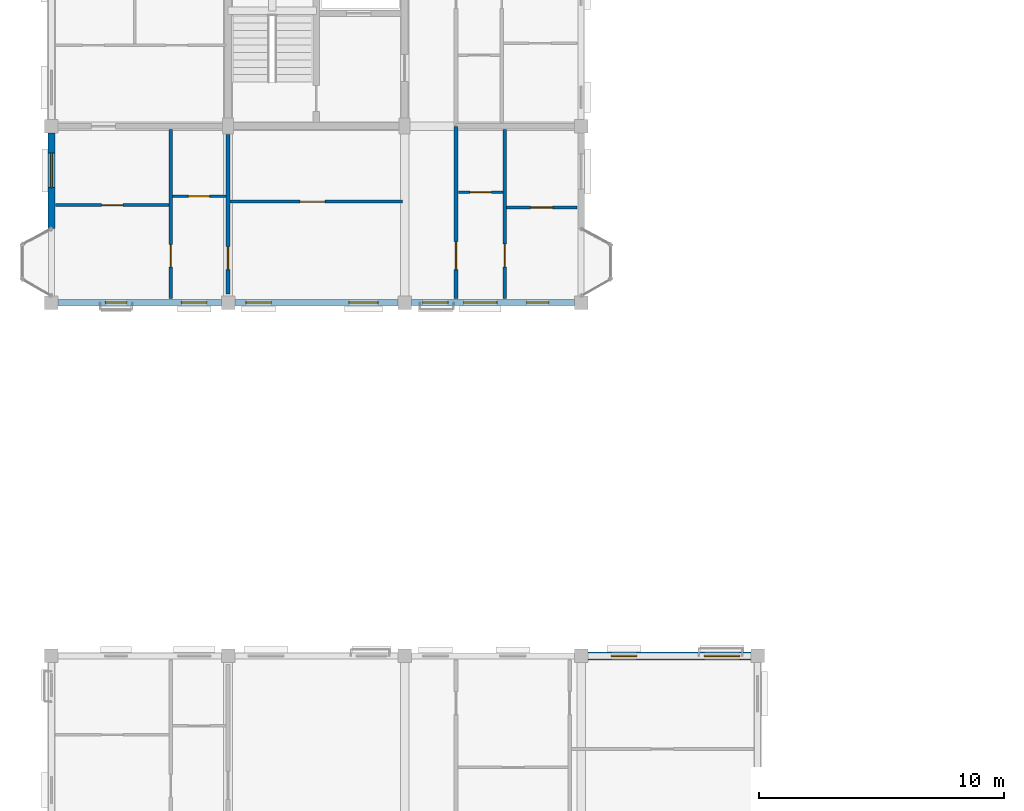
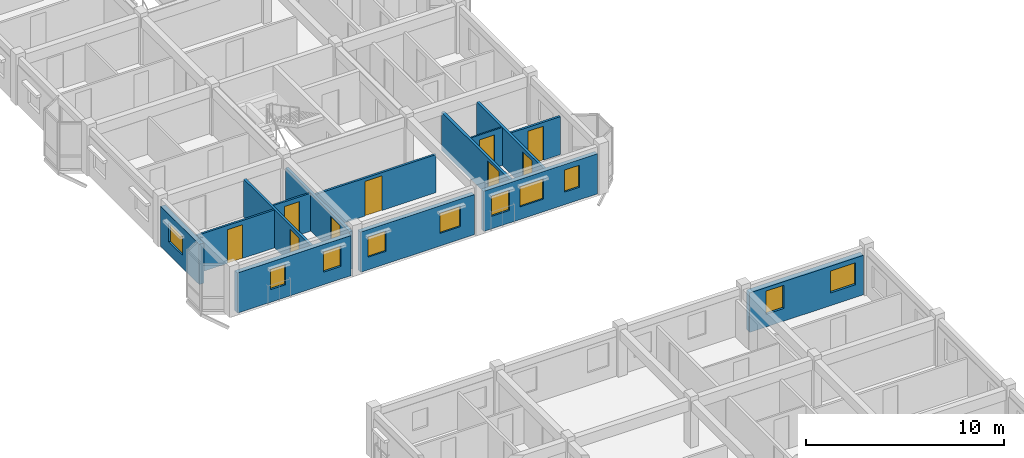
# One storey, part 55 of 79: 14 walls, 10 windows, 9 doors, 19 openings.
"""IFC4 building model written with IfcOpenShell, lengths in metres."""

from ifc_helpers import new_model, si_unit, direction, frame, frame_2d, origin, place, context, subcontext, project, spatial, rectangle, extrude, material, layer, layer_set, type_object, element, fill, save


model = new_model("IFC4")

# Units and contexts
model_context = context("Model", 3, precision=1e-05, world=origin(), true_north=direction((0.0, 1.0)))
body_context = subcontext(model_context, "Body", "Model", "MODEL_VIEW")
ifc_project = project(units=[si_unit("LENGTHUNIT", "METRE"), si_unit("AREAUNIT", "SQUARE_METRE"), si_unit("VOLUMEUNIT", "CUBIC_METRE"), si_unit("PLANEANGLEUNIT", "RADIAN"), si_unit("MASSUNIT", "GRAM", prefix="KILO"), si_unit("THERMODYNAMICTEMPERATUREUNIT", "KELVIN"), si_unit("POWERUNIT", "WATT")], contexts=[model_context])

# Site, building, storey
site_placement = place(None, origin())
site = spatial("IfcSite", under=ifc_project, at=site_placement, CompositionType="ELEMENT")
building_placement = place(site_placement, origin())
building = spatial("IfcBuilding", under=site, at=building_placement, Name="Tavuni Mirador Residences", CompositionType="ELEMENT")
storey_placement = place(building_placement, frame((0.0, 0.0, 13.949951171875)))
storey = spatial("IfcBuildingStorey", under=building, at=storey_placement, Name="L04", CompositionType="ELEMENT", Elevation=13.949951171875)

# Wall, opening, door
ifc_material_1 = material(Name="Precast concrete C40/50", Category="concrete")
ifc_layer_1 = layer(ifc_material_1, 0.1650390625, Name="Precast concrete C40/50", Category="concrete")
ifc_layer_set_1 = layer_set([ifc_layer_1], Name="Precast concrete C40/50")
wall_type_1 = type_object("IfcWallType", Name="WT-CORR165", PredefinedType="PARTITIONING", material=ifc_layer_set_1)
wall_1_placement = place(storey_placement, frame((20.10009765625, 64.97509765625, 0.0), z_axis=(0.0, 0.0, 1.0), x_axis=(0.0, 1.0, 0.0)))
wall_1 = element("IfcWall", 1, at=wall_1_placement, inside=storey, type_object=wall_type_1, Name="CORW-BLK-B-L04-0-00", PredefinedType="PARTITIONING", context=body_context, shape_type="SweptSolid", body=[
    extrude(rectangle(XDim=7.0048828125, YDim=0.1650390625, at=frame_2d((3.50244140625, 0.0))), origin(), (0.0, 0.0, 1.0), 2.344970703125),
])
opening_1_placement = place(wall_1_placement, frame((1.175048828125, 0.0, 0.0)))
opening_1 = element("IfcOpeningElement", 2, at=opening_1_placement, cuts=wall_1, Name="Opening D-20", PredefinedType="OPENING", context=body_context, shape_type="SweptSolid", body=[
    extrude(rectangle(XDim=1.139892578125, YDim=2.179931640625, at=frame_2d((0.56982421875, 1.08984375))), frame((0.0, 0.092529296875, 0.0), z_axis=(0.0, -1.0, 0.0), x_axis=(1.0, 0.0, 0.0)), (0.0, 0.0, 1.0), 0.18505859375),
])
ifc_material_2 = material(Name="Solid core iroko timber", Category="wood")
door_type_1 = type_object("IfcDoorType", Name="DT-FD60-1140", OperationType="NOTDEFINED", PredefinedType="DOOR", material=ifc_material_2)
door_1_placement = place(opening_1_placement, origin())
door_1 = element("IfcDoor", 3, at=door_1_placement, inside=storey, type_object=door_type_1, Name="DR-2561", OperationType="SINGLE_SWING_RIGHT", OverallHeight=2.179931640625, OverallWidth=1.139892578125, PredefinedType="DOOR", context=body_context, shape_type="SweptSolid", body=[
    extrude(rectangle(XDim=1.139892578125, YDim=2.179931640625, at=frame_2d((0.56982421875, 1.08984375))), frame((0.0, 0.02490234375, 0.0), z_axis=(0.0, -1.0, 0.0), x_axis=(1.0, 0.0, 0.0)), (0.0, 0.0, 1.0), 0.050048828125),
])
fill(opening_1, door_1)

wall_2_placement = place(storey_placement, frame((10.800048828125, 65.14990234375, 0.0), z_axis=(0.0, 0.0, 1.0), x_axis=(0.0, 1.0, 0.0)))
wall_2 = element("IfcWall", 4, at=wall_2_placement, inside=storey, type_object=wall_type_1, Name="CORW-BLK-B-L04-1-00", PredefinedType="PARTITIONING", context=body_context, shape_type="SweptSolid", body=[
    extrude(rectangle(XDim=6.5, YDim=0.1650390625, at=frame_2d((3.25, 0.0))), origin(), (0.0, 0.0, 1.0), 2.344970703125),
])
opening_2_placement = place(wall_2_placement, frame((1.0, 0.0, 0.0)))
opening_2 = element("IfcOpeningElement", 5, at=opening_2_placement, cuts=wall_2, Name="Opening D-19", PredefinedType="OPENING", context=body_context, shape_type="SweptSolid", body=[
    extrude(rectangle(XDim=0.93994140625, YDim=2.1201171875, at=frame_2d((0.469970703125, 1.06005859375))), frame((0.0, 0.092529296875, 0.0), z_axis=(0.0, -1.0, 0.0), x_axis=(1.0, 0.0, 0.0)), (0.0, 0.0, 1.0), 0.18505859375),
])
door_type_2 = type_object("IfcDoorType", Name="DT-FD60-940", OperationType="NOTDEFINED", PredefinedType="DOOR", material=ifc_material_2)
door_2_placement = place(opening_2_placement, origin())
door_2 = element("IfcDoor", 6, at=door_2_placement, inside=storey, type_object=door_type_2, Name="DR-2566", OperationType="SINGLE_SWING_LEFT", OverallHeight=2.1201171875, OverallWidth=0.93994140625, PredefinedType="DOOR", context=body_context, shape_type="SweptSolid", body=[
    extrude(rectangle(XDim=0.93994140625, YDim=2.1201171875, at=frame_2d((0.469970703125, 1.06005859375))), frame((0.0, 0.02490234375, 0.0), z_axis=(0.0, -1.0, 0.0), x_axis=(1.0, 0.0, 0.0)), (0.0, 0.0, 1.0), 0.050048828125),
])
fill(opening_2, door_2)

# Wall, openings, windows
ifc_layer_2 = layer(ifc_material_1, 0.330078125, Name="Precast concrete C40/50", Category="concrete")
ifc_layer_set_2 = layer_set([ifc_layer_2], Name="Precast concrete C40/50")
wall_type_2 = type_object("IfcWallType", Name="WT-EXT-COR330", PredefinedType="SOLIDWALL", material=ifc_layer_set_2)
wall_3_placement = place(storey_placement, frame((32.125, 50.39990234375, 0.0), z_axis=(0.0, 0.0, 1.0), x_axis=(-1.0, 0.0, 0.0)))
wall_3 = element("IfcWall", 7, at=wall_3_placement, inside=storey, type_object=wall_type_2, Name="EW-BLK-A-L04-N03", PredefinedType="SOLIDWALL", context=body_context, shape_type="SweptSolid", body=[
    extrude(rectangle(XDim=6.64990234375, YDim=0.330078125, at=frame_2d((3.324951171875, 0.0))), origin(), (0.0, 0.0, 1.0), 2.43994140625),
])
opening_3_placement = place(wall_3_placement, frame((0.449951171875, 0.0, 0.780029296875)))
opening_3 = element("IfcOpeningElement", 8, at=opening_3_placement, cuts=wall_3, Name="Opening WN-24", PredefinedType="OPENING", context=body_context, shape_type="SweptSolid", body=[
    extrude(rectangle(XDim=1.4599609375, YDim=1.360107421875, at=frame_2d((0.72998046875, 0.68017578125))), frame((0.0, 0.175048828125, 0.0), z_axis=(0.0, -1.0, 0.0), x_axis=(1.0, 0.0, 0.0)), (0.0, 0.0, 1.0), 0.35009765625),
])
opening_4_placement = place(wall_3_placement, frame((4.64990234375, 0.0, 0.780029296875)))
opening_4 = element("IfcOpeningElement", 9, at=opening_4_placement, cuts=wall_3, Name="Opening WN-26", PredefinedType="OPENING", context=body_context, shape_type="SweptSolid", body=[
    extrude(rectangle(XDim=1.050048828125, YDim=1.43994140625, at=frame_2d((0.52490234375, 0.719970703125))), frame((0.0, 0.175048828125, 0.0), z_axis=(0.0, -1.0, 0.0), x_axis=(1.0, 0.0, 0.0)), (0.0, 0.0, 1.0), 0.35009765625),
])
ifc_material_3 = material(Name="Laminated solar-control glass", Category="glass")
window_type_1 = type_object("IfcWindowType", Name="WNT-24", PartitioningType="SINGLE_PANEL", PredefinedType="WINDOW", material=ifc_material_3)
window_1_placement = place(opening_3_placement, origin())
window_1 = element("IfcWindow", 10, at=window_1_placement, inside=storey, type_object=window_type_1, Name="WIN-0169", OverallHeight=1.360107421875, OverallWidth=1.4599609375, PartitioningType="SINGLE_PANEL", PredefinedType="WINDOW", context=body_context, shape_type="SweptSolid", body=[
    extrude(rectangle(XDim=1.4599609375, YDim=1.360107421875, at=frame_2d((0.72998046875, 0.68017578125))), frame((0.0, 0.030029296875, 0.0), z_axis=(0.0, -1.0, 0.0), x_axis=(1.0, 0.0, 0.0)), (0.0, 0.0, 1.0), 0.06005859375),
])
fill(opening_3, window_1)
window_type_2 = type_object("IfcWindowType", Name="WNT-26", PartitioningType="SINGLE_PANEL", PredefinedType="WINDOW", material=ifc_material_3)
window_2_placement = place(opening_4_placement, origin())
window_2 = element("IfcWindow", 11, at=window_2_placement, inside=storey, type_object=window_type_2, Name="WIN-0170", OverallHeight=1.43994140625, OverallWidth=1.050048828125, PartitioningType="SINGLE_PANEL", PredefinedType="WINDOW", context=body_context, shape_type="SweptSolid", body=[
    extrude(rectangle(XDim=1.050048828125, YDim=1.43994140625, at=frame_2d((0.52490234375, 0.719970703125))), frame((0.0, 0.030029296875, 0.0), z_axis=(0.0, -1.0, 0.0), x_axis=(1.0, 0.0, 0.0)), (0.0, 0.0, 1.0), 0.06005859375),
])
fill(opening_4, window_2)

ifc_material_4 = material(Name="Sgraffito lime-rendered precast concrete C40/50", Category="concrete")
ifc_layer_3 = layer(ifc_material_4, 0.2451171875, Name="Sgraffito lime-rendered precast concrete C40/50", Category="concrete")
ifc_layer_set_3 = layer_set([ifc_layer_3], Name="Sgraffito lime-rendered precast concrete C40/50")
wall_type_3 = type_object("IfcWallType", Name="WT-EXT-PC245", PredefinedType="SOLIDWALL", material=ifc_layer_set_3)
wall_4_placement = place(storey_placement, frame((18.27490234375, 64.800048828125, 0.0), z_axis=(0.0, 0.0, 1.0), x_axis=(1.0, 0.0, 0.0)))
wall_4 = element("IfcWall", 12, at=wall_4_placement, inside=storey, type_object=wall_type_3, Name="EW-BLK-B-L04-S02", PredefinedType="SOLIDWALL", context=body_context, shape_type="SweptSolid", body=[
    extrude(rectangle(XDim=6.650146484375, YDim=0.2451171875, at=frame_2d((3.3251953125, 0.0))), origin(), (0.0, 0.0, 1.0), 2.47998046875),
])
opening_5_placement = place(wall_4_placement, frame((0.46240234375, 0.0, 0.780029296875)))
opening_5 = element("IfcOpeningElement", 13, at=opening_5_placement, cuts=wall_4, Name="Opening WN-11", PredefinedType="OPENING", context=body_context, shape_type="SweptSolid", body=[
    extrude(rectangle(XDim=1.0400390625, YDim=1.260009765625, at=frame_2d((0.52001953125, 0.6298828125))), frame((0.0, 0.132568359375, 0.0), z_axis=(0.0, -1.0, 0.0), x_axis=(1.0, 0.0, 0.0)), (0.0, 0.0, 1.0), 0.26513671875),
])
opening_6_placement = place(wall_4_placement, frame((2.135009765625, 0.0, 0.780029296875)))
opening_6 = element("IfcOpeningElement", 14, at=opening_6_placement, cuts=wall_4, Name="Opening WN-15", PredefinedType="OPENING", context=body_context, shape_type="SweptSolid", body=[
    extrude(rectangle(XDim=1.360107421875, YDim=1.260009765625, at=frame_2d((0.68017578125, 0.6298828125))), frame((0.0, 0.132568359375, 0.0), z_axis=(0.0, -1.0, 0.0), x_axis=(1.0, 0.0, 0.0)), (0.0, 0.0, 1.0), 0.26513671875),
])
opening_7_placement = place(wall_4_placement, frame((4.70751953125, 0.0, 0.780029296875)))
opening_7 = element("IfcOpeningElement", 15, at=opening_7_placement, cuts=wall_4, Name="Opening WN-17", PredefinedType="OPENING", context=body_context, shape_type="SweptSolid", body=[
    extrude(rectangle(XDim=0.89990234375, YDim=1.360107421875, at=frame_2d((0.449951171875, 0.68017578125))), frame((0.0, 0.132568359375, 0.0), z_axis=(0.0, -1.0, 0.0), x_axis=(1.0, 0.0, 0.0)), (0.0, 0.0, 1.0), 0.26513671875),
])
window_type_3 = type_object("IfcWindowType", Name="WNT-11", PartitioningType="SINGLE_PANEL", PredefinedType="WINDOW", material=ifc_material_3)
window_3_placement = place(opening_5_placement, origin())
window_3 = element("IfcWindow", 16, at=window_3_placement, inside=storey, type_object=window_type_3, Name="WIN-0668", OverallHeight=1.260009765625, OverallWidth=1.0400390625, PartitioningType="SINGLE_PANEL", PredefinedType="WINDOW", context=body_context, shape_type="SweptSolid", body=[
    extrude(rectangle(XDim=1.0400390625, YDim=1.260009765625, at=frame_2d((0.52001953125, 0.6298828125))), frame((0.0, 0.030029296875, 0.0), z_axis=(0.0, -1.0, 0.0), x_axis=(1.0, 0.0, 0.0)), (0.0, 0.0, 1.0), 0.06005859375),
])
fill(opening_5, window_3)
window_type_4 = type_object("IfcWindowType", Name="WNT-15", PartitioningType="SINGLE_PANEL", PredefinedType="WINDOW", material=ifc_material_3)
window_4_placement = place(opening_6_placement, origin())
window_4 = element("IfcWindow", 17, at=window_4_placement, inside=storey, type_object=window_type_4, Name="WIN-0669", OverallHeight=1.260009765625, OverallWidth=1.360107421875, PartitioningType="SINGLE_PANEL", PredefinedType="WINDOW", context=body_context, shape_type="SweptSolid", body=[
    extrude(rectangle(XDim=1.360107421875, YDim=1.260009765625, at=frame_2d((0.68017578125, 0.6298828125))), frame((0.0, 0.030029296875, 0.0), z_axis=(0.0, -1.0, 0.0), x_axis=(1.0, 0.0, 0.0)), (0.0, 0.0, 1.0), 0.06005859375),
])
fill(opening_6, window_4)
window_type_5 = type_object("IfcWindowType", Name="WNT-17", PartitioningType="SINGLE_PANEL", PredefinedType="WINDOW", material=ifc_material_3)
window_5_placement = place(opening_7_placement, origin())
window_5 = element("IfcWindow", 18, at=window_5_placement, inside=storey, type_object=window_type_5, Name="WIN-0670", OverallHeight=1.360107421875, OverallWidth=0.89990234375, PartitioningType="SINGLE_PANEL", PredefinedType="WINDOW", context=body_context, shape_type="SweptSolid", body=[
    extrude(rectangle(XDim=0.89990234375, YDim=1.360107421875, at=frame_2d((0.449951171875, 0.68017578125))), frame((0.0, 0.030029296875, 0.0), z_axis=(0.0, -1.0, 0.0), x_axis=(1.0, 0.0, 0.0)), (0.0, 0.0, 1.0), 0.06005859375),
])
fill(opening_7, window_5)

ifc_layer_4 = layer(ifc_material_4, 0.2548828125, Name="Sgraffito lime-rendered precast concrete C40/50", Category="concrete")
ifc_layer_set_4 = layer_set([ifc_layer_4], Name="Sgraffito lime-rendered precast concrete C40/50")
wall_type_4 = type_object("IfcWallType", Name="WT-EXT-PC255", PredefinedType="SOLIDWALL", material=ifc_layer_set_4)
wall_5_placement = place(storey_placement, frame((11.074951171875, 64.800048828125, 0.0), z_axis=(0.0, 0.0, 1.0), x_axis=(1.0, 0.0, 0.0)))
wall_5 = element("IfcWall", 19, at=wall_5_placement, inside=storey, type_object=wall_type_4, Name="EW-BLK-B-L04-S01", PredefinedType="SOLIDWALL", context=body_context, shape_type="SweptSolid", body=[
    extrude(rectangle(XDim=6.650146484375, YDim=0.2548828125, at=frame_2d((3.3251953125, 0.0))), origin(), (0.0, 0.0, 1.0), 2.47998046875),
])
opening_8_placement = place(wall_5_placement, frame((0.449951171875, 0.0, 0.780029296875)))
opening_8 = element("IfcOpeningElement", 20, at=opening_8_placement, cuts=wall_5, Name="Opening WN-11", PredefinedType="OPENING", context=body_context, shape_type="SweptSolid", body=[
    extrude(rectangle(XDim=1.0400390625, YDim=1.260009765625, at=frame_2d((0.52001953125, 0.6298828125))), frame((0.0, 0.137451171875, 0.0), z_axis=(0.0, -1.0, 0.0), x_axis=(1.0, 0.0, 0.0)), (0.0, 0.0, 1.0), 0.27490234375),
])
opening_9_placement = place(wall_5_placement, frame((4.64990234375, 0.0, 0.780029296875)))
opening_9 = element("IfcOpeningElement", 21, at=opening_9_placement, cuts=wall_5, Name="Opening WN-13", PredefinedType="OPENING", context=body_context, shape_type="SweptSolid", body=[
    extrude(rectangle(XDim=1.199951171875, YDim=1.260009765625, at=frame_2d((0.60009765625, 0.6298828125))), frame((0.0, 0.137451171875, 0.0), z_axis=(0.0, -1.0, 0.0), x_axis=(1.0, 0.0, 0.0)), (0.0, 0.0, 1.0), 0.27490234375),
])
window_6_placement = place(opening_8_placement, origin())
window_6 = element("IfcWindow", 22, at=window_6_placement, inside=storey, type_object=window_type_3, Name="WIN-0666", OverallHeight=1.260009765625, OverallWidth=1.0400390625, PartitioningType="SINGLE_PANEL", PredefinedType="WINDOW", context=body_context, shape_type="SweptSolid", body=[
    extrude(rectangle(XDim=1.0400390625, YDim=1.260009765625, at=frame_2d((0.52001953125, 0.6298828125))), frame((0.0, 0.030029296875, 0.0), z_axis=(0.0, -1.0, 0.0), x_axis=(1.0, 0.0, 0.0)), (0.0, 0.0, 1.0), 0.06005859375),
])
fill(opening_8, window_6)
window_type_6 = type_object("IfcWindowType", Name="WNT-13", PartitioningType="SINGLE_PANEL", PredefinedType="WINDOW", material=ifc_material_3)
window_7_placement = place(opening_9_placement, origin())
window_7 = element("IfcWindow", 23, at=window_7_placement, inside=storey, type_object=window_type_6, Name="WIN-0667", OverallHeight=1.260009765625, OverallWidth=1.199951171875, PartitioningType="SINGLE_PANEL", PredefinedType="WINDOW", context=body_context, shape_type="SweptSolid", body=[
    extrude(rectangle(XDim=1.199951171875, YDim=1.260009765625, at=frame_2d((0.60009765625, 0.6298828125))), frame((0.0, 0.030029296875, 0.0), z_axis=(0.0, -1.0, 0.0), x_axis=(1.0, 0.0, 0.0)), (0.0, 0.0, 1.0), 0.06005859375),
])
fill(opening_9, window_7)

ifc_layer_5 = layer(ifc_material_4, 0.27490234375, Name="Sgraffito lime-rendered precast concrete C40/50", Category="concrete")
ifc_layer_set_5 = layer_set([ifc_layer_5], Name="Sgraffito lime-rendered precast concrete C40/50")
wall_type_5 = type_object("IfcWallType", Name="WT-EXT-PC275", PredefinedType="SOLIDWALL", material=ifc_layer_set_5)
wall_6_placement = place(storey_placement, frame((3.875, 64.800048828125, 0.0), z_axis=(0.0, 0.0, 1.0), x_axis=(1.0, 0.0, 0.0)))
wall_6 = element("IfcWall", 24, at=wall_6_placement, inside=storey, type_object=wall_type_5, Name="EW-BLK-B-L04-S00", PredefinedType="SOLIDWALL", context=body_context, shape_type="SweptSolid", body=[
    extrude(rectangle(XDim=6.64990234375, YDim=0.27490234375, at=frame_2d((3.324951171875, 0.0))), origin(), (0.0, 0.0, 1.0), 2.47998046875),
])
opening_10_placement = place(wall_6_placement, frame((1.922607421875, 0.0, 0.780029296875)))
opening_10 = element("IfcOpeningElement", 25, at=opening_10_placement, cuts=wall_6, Name="Opening WN-09", PredefinedType="OPENING", context=body_context, shape_type="SweptSolid", body=[
    extrude(rectangle(XDim=0.8798828125, YDim=1.260009765625, at=frame_2d((0.43994140625, 0.6298828125))), frame((0.0, 0.1474609375, 0.0), z_axis=(0.0, -1.0, 0.0), x_axis=(1.0, 0.0, 0.0)), (0.0, 0.0, 1.0), 0.294921875),
])
opening_11_placement = place(wall_6_placement, frame((5.027587890625, 0.0, 0.780029296875)))
opening_11 = element("IfcOpeningElement", 26, at=opening_11_placement, cuts=wall_6, Name="Opening WN-11", PredefinedType="OPENING", context=body_context, shape_type="SweptSolid", body=[
    extrude(rectangle(XDim=1.0400390625, YDim=1.260009765625, at=frame_2d((0.52001953125, 0.6298828125))), frame((0.0, 0.1474609375, 0.0), z_axis=(0.0, -1.0, 0.0), x_axis=(1.0, 0.0, 0.0)), (0.0, 0.0, 1.0), 0.294921875),
])
window_type_7 = type_object("IfcWindowType", Name="WNT-09", PartitioningType="SINGLE_PANEL", PredefinedType="WINDOW", material=ifc_material_3)
window_8_placement = place(opening_10_placement, origin())
window_8 = element("IfcWindow", 27, at=window_8_placement, inside=storey, type_object=window_type_7, Name="WIN-0664", OverallHeight=1.260009765625, OverallWidth=0.8798828125, PartitioningType="SINGLE_PANEL", PredefinedType="WINDOW", context=body_context, shape_type="SweptSolid", body=[
    extrude(rectangle(XDim=0.8798828125, YDim=1.260009765625, at=frame_2d((0.43994140625, 0.6298828125))), frame((0.0, 0.030029296875, 0.0), z_axis=(0.0, -1.0, 0.0), x_axis=(1.0, 0.0, 0.0)), (0.0, 0.0, 1.0), 0.06005859375),
])
fill(opening_10, window_8)
window_9_placement = place(opening_11_placement, origin())
window_9 = element("IfcWindow", 28, at=window_9_placement, inside=storey, type_object=window_type_3, Name="WIN-0665", OverallHeight=1.260009765625, OverallWidth=1.0400390625, PartitioningType="SINGLE_PANEL", PredefinedType="WINDOW", context=body_context, shape_type="SweptSolid", body=[
    extrude(rectangle(XDim=1.0400390625, YDim=1.260009765625, at=frame_2d((0.52001953125, 0.6298828125))), frame((0.0, 0.030029296875, 0.0), z_axis=(0.0, -1.0, 0.0), x_axis=(1.0, 0.0, 0.0)), (0.0, 0.0, 1.0), 0.06005859375),
])
fill(opening_11, window_9)

# Wall, opening, window
wall_7_placement = place(storey_placement, frame((3.60009765625, 71.72509765625, 0.0), z_axis=(0.0, 0.0, 1.0), x_axis=(0.0, -1.0, 0.0)))
wall_7 = element("IfcWall", 29, at=wall_7_placement, inside=storey, type_object=wall_type_5, Name="EW-BLK-B-L04-W00", PredefinedType="SOLIDWALL", context=body_context, shape_type="SweptSolid", body=[
    extrude(rectangle(XDim=3.905029296875, YDim=0.27490234375, at=frame_2d((1.95263671875, 0.0))), origin(), (0.0, 0.0, 1.0), 2.47998046875),
])
opening_12_placement = place(wall_7_placement, frame((0.827392578125, 0.0, 0.780029296875)))
opening_12 = element("IfcOpeningElement", 30, at=opening_12_placement, cuts=wall_7, Name="Opening WN-08", PredefinedType="OPENING", context=body_context, shape_type="SweptSolid", body=[
    extrude(rectangle(XDim=1.39990234375, YDim=1.14990234375, at=frame_2d((0.699951171875, 0.574951171875))), frame((0.0, 0.1474609375, 0.0), z_axis=(0.0, -1.0, 0.0), x_axis=(1.0, 0.0, 0.0)), (0.0, 0.0, 1.0), 0.294921875),
])
window_type_8 = type_object("IfcWindowType", Name="WNT-08", PartitioningType="SINGLE_PANEL", PredefinedType="WINDOW", material=ifc_material_3)
window_10_placement = place(opening_12_placement, origin())
window_10 = element("IfcWindow", 31, at=window_10_placement, inside=storey, type_object=window_type_8, Name="WIN-0693", OverallHeight=1.14990234375, OverallWidth=1.39990234375, PartitioningType="SINGLE_PANEL", PredefinedType="WINDOW", context=body_context, shape_type="SweptSolid", body=[
    extrude(rectangle(XDim=1.39990234375, YDim=1.14990234375, at=frame_2d((0.699951171875, 0.574951171875))), frame((0.0, 0.030029296875, 0.0), z_axis=(0.0, -1.0, 0.0), x_axis=(1.0, 0.0, 0.0)), (0.0, 0.0, 1.0), 0.06005859375),
])
fill(opening_12, window_10)

# Wall, opening, door
ifc_material_5 = material(Name="Acoustic gypsum and concrete block partition", Category="concrete")
ifc_layer_6 = layer(ifc_material_5, 0.094970703125, Name="Acoustic gypsum and concrete block partition", Category="concrete")
ifc_layer_set_6 = layer_set([ifc_layer_6], Name="Acoustic gypsum and concrete block partition")
wall_type_6 = type_object("IfcWallType", Name="WT-PART095", PredefinedType="PARTITIONING", material=ifc_layer_set_6)
wall_8_placement = place(storey_placement, frame((20.18994140625, 69.300048828125, 0.0), z_axis=(0.0, 0.0, 1.0), x_axis=(1.0, 0.0, 0.0)))
wall_8 = element("IfcWall", 32, at=wall_8_placement, inside=storey, type_object=wall_type_6, Name="PW-BLK-B-L04-E00-IN1", PredefinedType="PARTITIONING", context=body_context, shape_type="SweptSolid", body=[
    extrude(rectangle(XDim=1.820068359375, YDim=0.094970703125, at=frame_2d((0.91015625, 0.0))), origin(), (0.0, 0.0, 1.0), 2.344970703125),
])
opening_13_placement = place(wall_8_placement, frame((0.47509765625, 0.0, 0.0)))
opening_13 = element("IfcOpeningElement", 33, at=opening_13_placement, cuts=wall_8, Name="Opening D-10", PredefinedType="OPENING", context=body_context, shape_type="SweptSolid", body=[
    extrude(rectangle(XDim=0.8701171875, YDim=2.050048828125, at=frame_2d((0.43505859375, 1.02490234375))), frame((0.0, 0.0576171875, 0.0), z_axis=(0.0, -1.0, 0.0), x_axis=(1.0, 0.0, 0.0)), (0.0, 0.0, 1.0), 0.114990234375),
])
door_type_3 = type_object("IfcDoorType", Name="DT-WC870", OperationType="NOTDEFINED", PredefinedType="DOOR", material=ifc_material_2)
door_3_placement = place(opening_13_placement, origin())
door_3 = element("IfcDoor", 34, at=door_3_placement, inside=storey, type_object=door_type_3, Name="DR-3532", OperationType="SINGLE_SWING_RIGHT", OverallHeight=2.050048828125, OverallWidth=0.8701171875, PredefinedType="DOOR", context=body_context, shape_type="SweptSolid", body=[
    extrude(rectangle(XDim=0.8701171875, YDim=2.050048828125, at=frame_2d((0.43505859375, 1.02490234375))), frame((0.0, 0.02490234375, 0.0), z_axis=(0.0, -1.0, 0.0), x_axis=(1.0, 0.0, 0.0)), (0.0, 0.0, 1.0), 0.050048828125),
])
fill(opening_13, door_3)

ifc_layer_7 = layer(ifc_material_5, 0.10498046875, Name="Acoustic gypsum and concrete block partition", Category="concrete")
ifc_layer_set_7 = layer_set([ifc_layer_7], Name="Acoustic gypsum and concrete block partition")
wall_type_7 = type_object("IfcWallType", Name="WT-PART105", PredefinedType="PARTITIONING", material=ifc_layer_set_7)
wall_9_placement = place(storey_placement, frame((8.530029296875, 69.139892578125, 0.0), z_axis=(0.0, 0.0, 1.0), x_axis=(1.0, 0.0, 0.0)))
wall_9 = element("IfcWall", 35, at=wall_9_placement, inside=storey, type_object=wall_type_7, Name="PW-BLK-B-L04-W00-IN1", PredefinedType="PARTITIONING", context=body_context, shape_type="SweptSolid", body=[
    extrude(rectangle(XDim=2.179931640625, YDim=0.10498046875, at=frame_2d((1.08984375, 0.0))), origin(), (0.0, 0.0, 1.0), 2.344970703125),
])
opening_14_placement = place(wall_9_placement, frame((0.655029296875, 0.0, 0.0)))
opening_14 = element("IfcOpeningElement", 36, at=opening_14_placement, cuts=wall_9, Name="Opening D-10", PredefinedType="OPENING", context=body_context, shape_type="SweptSolid", body=[
    extrude(rectangle(XDim=0.8701171875, YDim=2.050048828125, at=frame_2d((0.43505859375, 1.02490234375))), frame((0.0, 0.0625, 0.0), z_axis=(0.0, -1.0, 0.0), x_axis=(1.0, 0.0, 0.0)), (0.0, 0.0, 1.0), 0.125),
])
door_4_placement = place(opening_14_placement, origin())
door_4 = element("IfcDoor", 37, at=door_4_placement, inside=storey, type_object=door_type_3, Name="DR-3529", OperationType="SINGLE_SWING_LEFT", OverallHeight=2.050048828125, OverallWidth=0.8701171875, PredefinedType="DOOR", context=body_context, shape_type="SweptSolid", body=[
    extrude(rectangle(XDim=0.8701171875, YDim=2.050048828125, at=frame_2d((0.43505859375, 1.02490234375))), frame((0.0, 0.02490234375, 0.0), z_axis=(0.0, -1.0, 0.0), x_axis=(1.0, 0.0, 0.0)), (0.0, 0.0, 1.0), 0.050048828125),
])
fill(opening_14, door_4)

ifc_layer_8 = layer(ifc_material_5, 0.114990234375, Name="Acoustic gypsum and concrete block partition", Category="concrete")
ifc_layer_set_8 = layer_set([ifc_layer_8], Name="Acoustic gypsum and concrete block partition")
wall_type_8 = type_object("IfcWallType", Name="WT-PART115", PredefinedType="PARTITIONING", material=ifc_layer_set_8)
wall_10_placement = place(storey_placement, frame((3.77490234375, 68.780029296875, 0.0), z_axis=(0.0, 0.0, 1.0), x_axis=(1.0, 0.0, 0.0)))
wall_10 = element("IfcWall", 38, at=wall_10_placement, inside=storey, type_object=wall_type_8, Name="PW-BLK-B-L04-W00-OUT", PredefinedType="PARTITIONING", context=body_context, shape_type="SweptSolid", body=[
    extrude(rectangle(XDim=4.614990234375, YDim=0.114990234375, at=frame_2d((2.3076171875, 0.0))), origin(), (0.0, 0.0, 1.0), 2.344970703125),
])
opening_15_placement = place(wall_10_placement, frame((1.867431640625, 0.0, 0.0)))
opening_15 = element("IfcOpeningElement", 39, at=opening_15_placement, cuts=wall_10, Name="Opening D-08", PredefinedType="OPENING", context=body_context, shape_type="SweptSolid", body=[
    extrude(rectangle(XDim=0.8798828125, YDim=2.080078125, at=frame_2d((0.43994140625, 1.0400390625))), frame((0.0, 0.0673828125, 0.0), z_axis=(0.0, -1.0, 0.0), x_axis=(1.0, 0.0, 0.0)), (0.0, 0.0, 1.0), 0.135009765625),
])
door_type_4 = type_object("IfcDoorType", Name="DT-BED880", OperationType="NOTDEFINED", PredefinedType="DOOR", material=ifc_material_2)
door_5_placement = place(opening_15_placement, origin())
door_5 = element("IfcDoor", 40, at=door_5_placement, inside=storey, type_object=door_type_4, Name="DR-3528", OperationType="SINGLE_SWING_RIGHT", OverallHeight=2.080078125, OverallWidth=0.8798828125, PredefinedType="DOOR", context=body_context, shape_type="SweptSolid", body=[
    extrude(rectangle(XDim=0.8798828125, YDim=2.080078125, at=frame_2d((0.43994140625, 1.0400390625))), frame((0.0, 0.02490234375, 0.0), z_axis=(0.0, -1.0, 0.0), x_axis=(1.0, 0.0, 0.0)), (0.0, 0.0, 1.0), 0.050048828125),
])
fill(opening_15, door_5)

ifc_layer_9 = layer(ifc_material_5, 0.125, Name="Acoustic gypsum and concrete block partition", Category="concrete")
ifc_layer_set_9 = layer_set([ifc_layer_9], Name="Acoustic gypsum and concrete block partition")
wall_type_9 = type_object("IfcWallType", Name="WT-PART125", PredefinedType="PARTITIONING", material=ifc_layer_set_9)
wall_11_placement = place(storey_placement, frame((10.889892578125, 68.919921875, 0.0), z_axis=(0.0, 0.0, 1.0), x_axis=(1.0, 0.0, 0.0)))
wall_11 = element("IfcWall", 41, at=wall_11_placement, inside=storey, type_object=wall_type_9, Name="PW-SPN-BLK-B-L04-00", PredefinedType="PARTITIONING", context=body_context, shape_type="SweptSolid", body=[
    extrude(rectangle(XDim=7.02001953125, YDim=0.125, at=frame_2d((3.510009765625, 0.0))), origin(), (0.0, 0.0, 1.0), 2.344970703125),
])
opening_16_placement = place(wall_11_placement, frame((2.85009765625, 0.0, 0.0)))
opening_16 = element("IfcOpeningElement", 42, at=opening_16_placement, cuts=wall_11, Name="Opening D-13", PredefinedType="OPENING", context=body_context, shape_type="SweptSolid", body=[
    extrude(rectangle(XDim=1.02001953125, YDim=2.14990234375, at=frame_2d((0.510009765625, 1.074951171875))), frame((0.0, 0.072509765625, 0.0), z_axis=(0.0, -1.0, 0.0), x_axis=(1.0, 0.0, 0.0)), (0.0, 0.0, 1.0), 0.14501953125),
])
door_type_5 = type_object("IfcDoorType", Name="DT-MTG1020", OperationType="NOTDEFINED", PredefinedType="DOOR", material=ifc_material_2)
door_6_placement = place(opening_16_placement, origin())
door_6 = element("IfcDoor", 43, at=door_6_placement, inside=storey, type_object=door_type_5, Name="DR-3527", OperationType="SINGLE_SWING_LEFT", OverallHeight=2.14990234375, OverallWidth=1.02001953125, PredefinedType="DOOR", context=body_context, shape_type="SweptSolid", body=[
    extrude(rectangle(XDim=1.02001953125, YDim=2.14990234375, at=frame_2d((0.510009765625, 1.074951171875))), frame((0.0, 0.02490234375, 0.0), z_axis=(0.0, -1.0, 0.0), x_axis=(1.0, 0.0, 0.0)), (0.0, 0.0, 1.0), 0.050048828125),
])
fill(opening_16, door_6)

wall_12_placement = place(storey_placement, frame((22.14990234375, 68.679931640625, 0.0), z_axis=(0.0, 0.0, 1.0), x_axis=(1.0, 0.0, 0.0)))
wall_12 = element("IfcWall", 44, at=wall_12_placement, inside=storey, type_object=wall_type_9, Name="PW-BLK-B-L04-E00-OUT", PredefinedType="PARTITIONING", context=body_context, shape_type="SweptSolid", body=[
    extrude(rectangle(XDim=2.875, YDim=0.125, at=frame_2d((1.4375, 0.0))), origin(), (0.0, 0.0, 1.0), 2.344970703125),
])
opening_17_placement = place(wall_12_placement, frame((0.987548828125, 0.0, 0.0)))
opening_17 = element("IfcOpeningElement", 45, at=opening_17_placement, cuts=wall_12, Name="Opening D-07", PredefinedType="OPENING", context=body_context, shape_type="SweptSolid", body=[
    extrude(rectangle(XDim=0.89990234375, YDim=2.10009765625, at=frame_2d((0.449951171875, 1.050048828125))), frame((0.0, 0.072509765625, 0.0), z_axis=(0.0, -1.0, 0.0), x_axis=(1.0, 0.0, 0.0)), (0.0, 0.0, 1.0), 0.14501953125),
])
door_type_6 = type_object("IfcDoorType", Name="DT-BED900", OperationType="NOTDEFINED", PredefinedType="DOOR", material=ifc_material_2)
door_7_placement = place(opening_17_placement, origin())
door_7 = element("IfcDoor", 46, at=door_7_placement, inside=storey, type_object=door_type_6, Name="DR-3531", OperationType="SINGLE_SWING_LEFT", OverallHeight=2.10009765625, OverallWidth=0.89990234375, PredefinedType="DOOR", context=body_context, shape_type="SweptSolid", body=[
    extrude(rectangle(XDim=0.89990234375, YDim=2.10009765625, at=frame_2d((0.449951171875, 1.050048828125))), frame((0.0, 0.02490234375, 0.0), z_axis=(0.0, -1.0, 0.0), x_axis=(1.0, 0.0, 0.0)), (0.0, 0.0, 1.0), 0.050048828125),
])
fill(opening_17, door_7)

ifc_layer_10 = layer(ifc_material_5, 0.139892578125, Name="Acoustic gypsum and concrete block partition", Category="concrete")
ifc_layer_set_10 = layer_set([ifc_layer_10], Name="Acoustic gypsum and concrete block partition")
wall_type_10 = type_object("IfcWallType", Name="WT-PART140", PredefinedType="PARTITIONING", material=ifc_layer_set_10)
wall_13_placement = place(storey_placement, frame((8.4599609375, 64.97509765625, 0.0), z_axis=(0.0, 0.0, 1.0), x_axis=(0.0, 1.0, 0.0)))
wall_13 = element("IfcWall", 47, at=wall_13_placement, inside=storey, type_object=wall_type_10, Name="PW-BLK-B-L04-W00-MID", PredefinedType="PARTITIONING", context=body_context, shape_type="SweptSolid", body=[
    extrude(rectangle(XDim=6.885009765625, YDim=0.139892578125, at=frame_2d((3.4423828125, 0.0))), origin(), (0.0, 0.0, 1.0), 2.344970703125),
])
opening_18_placement = place(wall_13_placement, frame((1.27490234375, 0.0, 0.0)))
opening_18 = element("IfcOpeningElement", 48, at=opening_18_placement, cuts=wall_13, Name="Opening D-06", PredefinedType="OPENING", context=body_context, shape_type="SweptSolid", body=[
    extrude(rectangle(XDim=0.919921875, YDim=2.10009765625, at=frame_2d((0.4599609375, 1.050048828125))), frame((0.0, 0.080078125, 0.0), z_axis=(0.0, -1.0, 0.0), x_axis=(1.0, 0.0, 0.0)), (0.0, 0.0, 1.0), 0.159912109375),
])
door_type_7 = type_object("IfcDoorType", Name="DT-INT920", OperationType="NOTDEFINED", PredefinedType="DOOR", material=ifc_material_2)
door_8_placement = place(opening_18_placement, origin())
door_8 = element("IfcDoor", 49, at=door_8_placement, inside=storey, type_object=door_type_7, Name="DR-3530", OperationType="SINGLE_SWING_RIGHT", OverallHeight=2.10009765625, OverallWidth=0.919921875, PredefinedType="DOOR", context=body_context, shape_type="SweptSolid", body=[
    extrude(rectangle(XDim=0.919921875, YDim=2.10009765625, at=frame_2d((0.4599609375, 1.050048828125))), frame((0.0, 0.02490234375, 0.0), z_axis=(0.0, -1.0, 0.0), x_axis=(1.0, 0.0, 0.0)), (0.0, 0.0, 1.0), 0.050048828125),
])
fill(opening_18, door_8)

ifc_layer_11 = layer(ifc_material_5, 0.14990234375, Name="Acoustic gypsum and concrete block partition", Category="concrete")
ifc_layer_set_11 = layer_set([ifc_layer_11], Name="Acoustic gypsum and concrete block partition")
wall_type_11 = type_object("IfcWallType", Name="WT-PART150", PredefinedType="PARTITIONING", material=ifc_layer_set_11)
wall_14_placement = place(storey_placement, frame((22.080078125, 64.97509765625, 0.0), z_axis=(0.0, 0.0, 1.0), x_axis=(0.0, 1.0, 0.0)))
wall_14 = element("IfcWall", 50, at=wall_14_placement, inside=storey, type_object=wall_type_11, Name="PW-BLK-B-L04-E00-MID", PredefinedType="PARTITIONING", context=body_context, shape_type="SweptSolid", body=[
    extrude(rectangle(XDim=6.885009765625, YDim=0.14990234375, at=frame_2d((3.4423828125, 0.0))), origin(), (0.0, 0.0, 1.0), 2.344970703125),
])
opening_19_placement = place(wall_14_placement, frame((1.27490234375, 0.0, 0.0)))
opening_19 = element("IfcOpeningElement", 51, at=opening_19_placement, cuts=wall_14, Name="Opening D-05", PredefinedType="OPENING", context=body_context, shape_type="SweptSolid", body=[
    extrude(rectangle(XDim=0.949951171875, YDim=2.10009765625, at=frame_2d((0.47509765625, 1.050048828125))), frame((0.0, 0.0849609375, 0.0), z_axis=(0.0, -1.0, 0.0), x_axis=(1.0, 0.0, 0.0)), (0.0, 0.0, 1.0), 0.169921875),
])
door_type_8 = type_object("IfcDoorType", Name="DT-INT950", OperationType="NOTDEFINED", PredefinedType="DOOR", material=ifc_material_2)
door_9_placement = place(opening_19_placement, origin())
door_9 = element("IfcDoor", 52, at=door_9_placement, inside=storey, type_object=door_type_8, Name="DR-3533", OperationType="SINGLE_SWING_LEFT", OverallHeight=2.10009765625, OverallWidth=0.949951171875, PredefinedType="DOOR", context=body_context, shape_type="SweptSolid", body=[
    extrude(rectangle(XDim=0.949951171875, YDim=2.10009765625, at=frame_2d((0.47509765625, 1.050048828125))), frame((0.0, 0.02490234375, 0.0), z_axis=(0.0, -1.0, 0.0), x_axis=(1.0, 0.0, 0.0)), (0.0, 0.0, 1.0), 0.050048828125),
])
fill(opening_19, door_9)

save(model, "model.ifc")
